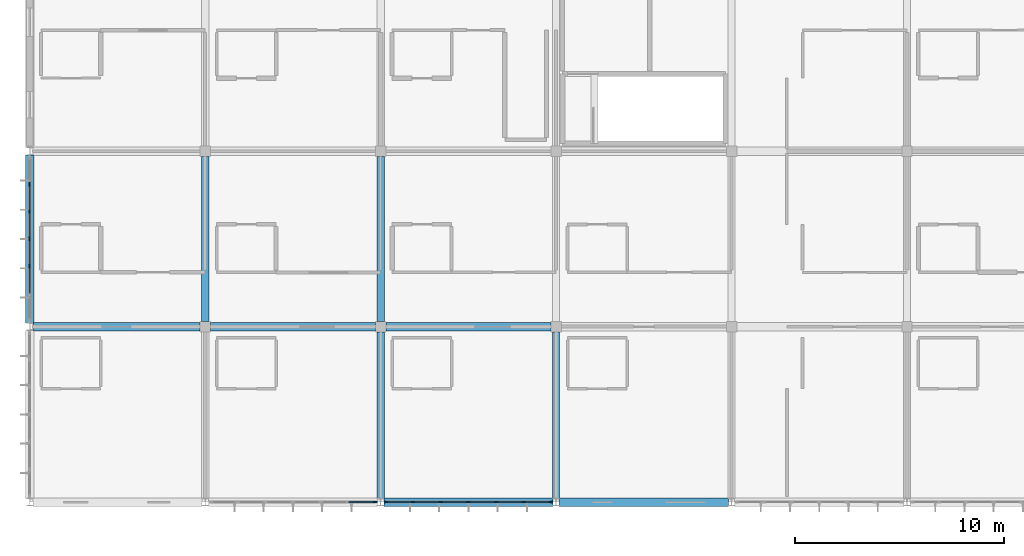
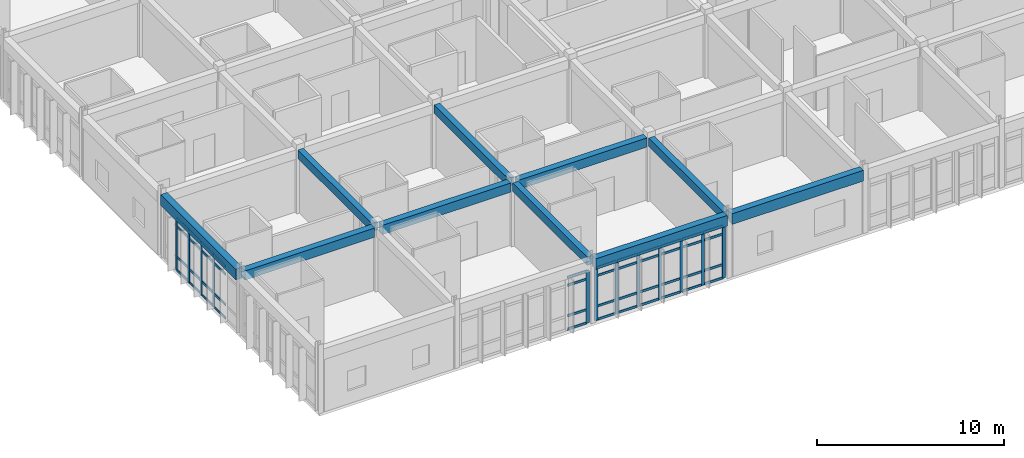
# One storey, part 10 of 144: 56 members, 10 beams, 3 elements without a shape of their own.
"""IFC4 building model written with IfcOpenShell, lengths in metres."""

from ifc_helpers import new_model, si_unit, direction, frame, origin, origin_2d, place, context, subcontext, project, spatial, rectangle, extrude, material, layer, layer_set, material_profile, profile_set, type_object, element, aggregate, save


model = new_model("IFC4")

# Units and contexts
model_context = context("Model", 3, precision=1e-05, world=origin(), true_north=direction((0.0, 1.0)))
body_context = subcontext(model_context, "Body", "Model", "MODEL_VIEW")
ifc_project = project(units=[si_unit("LENGTHUNIT", "METRE"), si_unit("AREAUNIT", "SQUARE_METRE"), si_unit("VOLUMEUNIT", "CUBIC_METRE"), si_unit("PLANEANGLEUNIT", "RADIAN"), si_unit("MASSUNIT", "GRAM", prefix="KILO")], contexts=[model_context])

# Site, building, storey
site_placement = place(None, origin())
site = spatial("IfcSite", under=ifc_project, at=site_placement, CompositionType="ELEMENT")
building_placement = place(site_placement, origin())
building = spatial("IfcBuilding", under=site, at=building_placement, Name="Bramfleet General Hospital", CompositionType="ELEMENT")
storey_placement = place(building_placement, frame((0.0, 0.0, 4.800048828125)))
storey = spatial("IfcBuildingStorey", under=building, at=storey_placement, Name="L01", CompositionType="ELEMENT", Elevation=4.800048828125)

# Beams
ifc_material_1 = material(Name="Concrete C35/45", Category="concrete")
ifc_material_profile_1 = material_profile(ifc_material_1, rectangle(XDim=0.35009765625, YDim=0.550048828125, at=origin_2d()), Name="RC BM 550x350")
ifc_profile_set_1 = profile_set([ifc_material_profile_1], Name="Concrete C35/45")
beam_type_1 = type_object("IfcBeamType", Name="BM-RC550", PredefinedType="BEAM", material=ifc_profile_set_1)
beam_1_placement = place(storey_placement, frame((8.39990234375, 8.64990234375, 3.875), z_axis=(0.0, 1.0, 0.0), x_axis=(-1.0, 0.0, 0.0)))
element("IfcBeam", 1, at=beam_1_placement, inside=storey, type_object=beam_type_1, Name="L01 Grid Beam Y 01-01", PredefinedType="BEAM", context=body_context, shape_type="SweptSolid", body=[
    extrude(rectangle(XDim=0.35009765625, YDim=0.550048828125, at=origin_2d()), origin(), (0.0, 0.0, 1.0), 7.900146484375),
])
beam_2_placement = place(storey_placement, frame((16.800048828125, 0.179931640625, 3.875), z_axis=(0.0, 1.0, 0.0), x_axis=(-1.0, 0.0, 0.0)))
element("IfcBeam", 2, at=beam_2_placement, inside=storey, type_object=beam_type_1, Name="L01 Grid Beam Y 02-00", PredefinedType="BEAM", context=body_context, shape_type="SweptSolid", body=[
    extrude(rectangle(XDim=0.35009765625, YDim=0.550048828125, at=origin_2d()), origin(), (0.0, 0.0, 1.0), 7.969970703125),
])
beam_3_placement = place(storey_placement, frame((16.800048828125, 8.64990234375, 3.875), z_axis=(0.0, 1.0, 0.0), x_axis=(-1.0, 0.0, 0.0)))
element("IfcBeam", 3, at=beam_3_placement, inside=storey, type_object=beam_type_1, Name="L01 Grid Beam Y 02-01", PredefinedType="BEAM", context=body_context, shape_type="SweptSolid", body=[
    extrude(rectangle(XDim=0.35009765625, YDim=0.550048828125, at=origin_2d()), origin(), (0.0, 0.0, 1.0), 7.900146484375),
])
beam_4_placement = place(storey_placement, frame((25.199951171875, 0.179931640625, 3.875), z_axis=(0.0, 1.0, 0.0), x_axis=(-1.0, 0.0, 0.0)))
element("IfcBeam", 4, at=beam_4_placement, inside=storey, type_object=beam_type_1, Name="L01 Grid Beam Y 03-00", PredefinedType="BEAM", context=body_context, shape_type="SweptSolid", body=[
    extrude(rectangle(XDim=0.35009765625, YDim=0.550048828125, at=origin_2d()), origin(), (0.0, 0.0, 1.0), 7.969970703125),
])
ifc_material_profile_2 = material_profile(ifc_material_1, rectangle(XDim=0.39990234375, YDim=0.60009765625, at=origin_2d()), Name="RC BM 600x400")
ifc_profile_set_2 = profile_set([ifc_material_profile_2], Name="Concrete C35/45")
beam_type_2 = type_object("IfcBeamType", Name="BM-RC600", PredefinedType="BEAM", material=ifc_profile_set_2)
beam_5_placement = place(storey_placement, frame((0.14990234375, 8.39990234375, 3.849853515625), z_axis=(1.0, 0.0, 0.0), x_axis=(0.0, 1.0, 0.0)))
element("IfcBeam", 5, at=beam_5_placement, inside=storey, type_object=beam_type_2, Name="L01 Grid Beam X 00-01", PredefinedType="BEAM", context=body_context, shape_type="SweptSolid", body=[
    extrude(rectangle(XDim=0.39990234375, YDim=0.60009765625, at=origin_2d()), origin(), (0.0, 0.0, 1.0), 8.0),
])
beam_6_placement = place(storey_placement, frame((8.64990234375, 8.39990234375, 3.849853515625), z_axis=(1.0, 0.0, 0.0), x_axis=(0.0, 1.0, 0.0)))
element("IfcBeam", 6, at=beam_6_placement, inside=storey, type_object=beam_type_2, Name="L01 Grid Beam X 01-01", PredefinedType="BEAM", context=body_context, shape_type="SweptSolid", body=[
    extrude(rectangle(XDim=0.39990234375, YDim=0.60009765625, at=origin_2d()), origin(), (0.0, 0.0, 1.0), 7.900146484375),
])
beam_7_placement = place(storey_placement, frame((17.050048828125, 8.39990234375, 3.849853515625), z_axis=(1.0, 0.0, 0.0), x_axis=(0.0, 1.0, 0.0)))
element("IfcBeam", 7, at=beam_7_placement, inside=storey, type_object=beam_type_2, Name="L01 Grid Beam X 02-01", PredefinedType="BEAM", context=body_context, shape_type="SweptSolid", body=[
    extrude(rectangle(XDim=0.39990234375, YDim=0.60009765625, at=origin_2d()), origin(), (0.0, 0.0, 1.0), 7.89990234375),
])
ifc_material_profile_3 = material_profile(ifc_material_1, rectangle(XDim=0.39990234375, YDim=0.699951171875, at=origin_2d()), Name="RC SP 700x400")
ifc_profile_set_3 = profile_set([ifc_material_profile_3], Name="Concrete C35/45")
beam_type_3 = type_object("IfcBeamType", Name="BM-SP700", PredefinedType="SPANDREL", material=ifc_profile_set_3)
beam_8_placement = place(storey_placement, frame((16.949951171875, 0.0, 3.800048828125), z_axis=(1.0, 0.0, 0.0), x_axis=(0.0, 1.0, 0.0)))
element("IfcBeam", 8, at=beam_8_placement, inside=storey, type_object=beam_type_3, Name="L01 Grid Beam X 02-00", PredefinedType="SPANDREL", context=body_context, shape_type="SweptSolid", body=[
    extrude(rectangle(XDim=0.39990234375, YDim=0.699951171875, at=origin_2d()), origin(), (0.0, 0.0, 1.0), 8.10009765625),
])
beam_9_placement = place(storey_placement, frame((25.35009765625, 0.0, 3.800048828125), z_axis=(1.0, 0.0, 0.0), x_axis=(0.0, 1.0, 0.0)))
element("IfcBeam", 9, at=beam_9_placement, inside=storey, type_object=beam_type_3, Name="L01 Grid Beam X 03-00", PredefinedType="SPANDREL", context=body_context, shape_type="SweptSolid", body=[
    extrude(rectangle(XDim=0.39990234375, YDim=0.699951171875, at=origin_2d()), origin(), (0.0, 0.0, 1.0), 8.099853515625),
])
beam_10_placement = place(storey_placement, frame((0.0, 8.580078125, 3.800048828125), z_axis=(0.0, 1.0, 0.0), x_axis=(-1.0, 0.0, 0.0)))
element("IfcBeam", 10, at=beam_10_placement, inside=storey, type_object=beam_type_3, Name="L01 Grid Beam Y 00-01", PredefinedType="SPANDREL", context=body_context, shape_type="SweptSolid", body=[
    extrude(rectangle(XDim=0.39990234375, YDim=0.699951171875, at=origin_2d()), origin(), (0.0, 0.0, 1.0), 8.0400390625),
])

# Curtain wall, members
ifc_material_2 = material(Name="Anodised aluminium and low-E triple glazing", Category="aluminium")
ifc_layer_1 = layer(ifc_material_2, 0.179931640625, Name="CWT-CW-15")
ifc_layer_set_1 = layer_set([ifc_layer_1], Name="Anodised aluminium and low-E triple glazing")
curtain_wall_type_1 = type_object("IfcCurtainWallType", Name="CWT-CW-15", PredefinedType="USERDEFINED", material=ifc_layer_set_1)
curtain_wall_1_placement = place(storey_placement, origin())
curtain_wall_1 = element("IfcCurtainWall", 11, at=curtain_wall_1_placement, inside=storey, type_object=curtain_wall_type_1, Name="L01 Curtain Wall 87", ObjectType="Stick curtain wall", PredefinedType="USERDEFINED")
ifc_material_3 = material(Name="Structural timber GL28h", Category="wood")
ifc_material_profile_4 = material_profile(ifc_material_3, rectangle(XDim=0.070068359375, YDim=0.18994140625, at=origin_2d()), Name="LARCH 190x70")
ifc_profile_set_4 = profile_set([ifc_material_profile_4], Name="Structural timber GL28h")
member_type_1 = type_object("IfcMemberType", Name="CWM-LARCH450", PredefinedType="MULLION", material=ifc_profile_set_4)
member_1_placement = place(storey_placement, frame((24.93994140625, 0.0, 0.0), z_axis=(0.0, 0.0, 1.0), x_axis=(0.0, -1.0, 0.0)))
member_1 = element("IfcMember", 12, at=member_1_placement, type_object=member_type_1, Name="CW-15 mullion 1", PredefinedType="MULLION", context=body_context, shape_type="SweptSolid", body=[
    extrude(rectangle(XDim=0.070068359375, YDim=0.18994140625, at=origin_2d()), origin(), (0.0, 0.0, 1.0), 3.43994140625),
])
member_2_placement = place(storey_placement, frame((23.64990234375, 0.0, 0.0), z_axis=(0.0, 0.0, 1.0), x_axis=(0.0, -1.0, 0.0)))
member_2 = element("IfcMember", 13, at=member_2_placement, type_object=member_type_1, Name="CW-15 mullion 2", PredefinedType="MULLION", context=body_context, shape_type="SweptSolid", body=[
    extrude(rectangle(XDim=0.070068359375, YDim=0.18994140625, at=origin_2d()), origin(), (0.0, 0.0, 1.0), 3.43994140625),
])
member_3_placement = place(storey_placement, frame((22.324951171875, 0.0, 0.0), z_axis=(0.0, 0.0, 1.0), x_axis=(0.0, -1.0, 0.0)))
member_3 = element("IfcMember", 14, at=member_3_placement, type_object=member_type_1, Name="CW-15 mullion 3", PredefinedType="MULLION", context=body_context, shape_type="SweptSolid", body=[
    extrude(rectangle(XDim=0.070068359375, YDim=0.18994140625, at=origin_2d()), origin(), (0.0, 0.0, 1.0), 3.43994140625),
])
member_4_placement = place(storey_placement, frame((21.0, 0.0, 0.0), z_axis=(0.0, 0.0, 1.0), x_axis=(0.0, -1.0, 0.0)))
member_4 = element("IfcMember", 15, at=member_4_placement, type_object=member_type_1, Name="CW-15 mullion 4", PredefinedType="MULLION", context=body_context, shape_type="SweptSolid", body=[
    extrude(rectangle(XDim=0.070068359375, YDim=0.18994140625, at=origin_2d()), origin(), (0.0, 0.0, 1.0), 3.43994140625),
])
member_5_placement = place(storey_placement, frame((19.675048828125, 0.0, 0.0), z_axis=(0.0, 0.0, 1.0), x_axis=(0.0, -1.0, 0.0)))
member_5 = element("IfcMember", 16, at=member_5_placement, type_object=member_type_1, Name="CW-15 mullion 5", PredefinedType="MULLION", context=body_context, shape_type="SweptSolid", body=[
    extrude(rectangle(XDim=0.070068359375, YDim=0.18994140625, at=origin_2d()), origin(), (0.0, 0.0, 1.0), 3.43994140625),
])
member_6_placement = place(storey_placement, frame((18.35009765625, 0.0, 0.0), z_axis=(0.0, 0.0, 1.0), x_axis=(0.0, -1.0, 0.0)))
member_6 = element("IfcMember", 17, at=member_6_placement, type_object=member_type_1, Name="CW-15 mullion 6", PredefinedType="MULLION", context=body_context, shape_type="SweptSolid", body=[
    extrude(rectangle(XDim=0.070068359375, YDim=0.18994140625, at=origin_2d()), origin(), (0.0, 0.0, 1.0), 3.43994140625),
])
member_7_placement = place(storey_placement, frame((17.06005859375, 0.0, 0.0), z_axis=(0.0, 0.0, 1.0), x_axis=(0.0, -1.0, 0.0)))
member_7 = element("IfcMember", 18, at=member_7_placement, type_object=member_type_1, Name="CW-15 mullion 7", PredefinedType="MULLION", context=body_context, shape_type="SweptSolid", body=[
    extrude(rectangle(XDim=0.070068359375, YDim=0.18994140625, at=origin_2d()), origin(), (0.0, 0.0, 1.0), 3.43994140625),
])

# Curtain wall, member
ifc_layer_2 = layer(ifc_material_2, 0.179931640625, Name="CWT-CW-16")
ifc_layer_set_2 = layer_set([ifc_layer_2], Name="Anodised aluminium and low-E triple glazing")
curtain_wall_type_2 = type_object("IfcCurtainWallType", Name="CWT-CW-16", PredefinedType="USERDEFINED", material=ifc_layer_set_2)
curtain_wall_2_placement = place(storey_placement, origin())
curtain_wall_2 = element("IfcCurtainWall", 19, at=curtain_wall_2_placement, inside=storey, type_object=curtain_wall_type_2, Name="L01 Curtain Wall 88", ObjectType="Stick curtain wall", PredefinedType="USERDEFINED")
member_8_placement = place(storey_placement, frame((16.5400390625, 0.0, 0.0), z_axis=(0.0, 0.0, 1.0), x_axis=(0.0, -1.0, 0.0)))
member_8 = element("IfcMember", 20, at=member_8_placement, type_object=member_type_1, Name="CW-16 mullion 1", PredefinedType="MULLION", context=body_context, shape_type="SweptSolid", body=[
    extrude(rectangle(XDim=0.070068359375, YDim=0.18994140625, at=origin_2d()), origin(), (0.0, 0.0, 1.0), 3.43994140625),
])

# Curtain wall, members
ifc_layer_3 = layer(ifc_material_2, 0.179931640625, Name="CWT-CW-18")
ifc_layer_set_3 = layer_set([ifc_layer_3], Name="Anodised aluminium and low-E triple glazing")
curtain_wall_type_3 = type_object("IfcCurtainWallType", Name="CWT-CW-18", PredefinedType="USERDEFINED", material=ifc_layer_set_3)
curtain_wall_3_placement = place(storey_placement, origin())
curtain_wall_3 = element("IfcCurtainWall", 21, at=curtain_wall_3_placement, inside=storey, type_object=curtain_wall_type_3, Name="L01 Curtain Wall 90", ObjectType="Stick curtain wall", PredefinedType="USERDEFINED")
member_9_placement = place(storey_placement, frame((0.0, 11.284912109375, 0.0), z_axis=(0.0, 0.0, 1.0), x_axis=(-1.0, 0.0, 0.0)))
member_9 = element("IfcMember", 22, at=member_9_placement, type_object=member_type_1, Name="CW-18 mullion 3", PredefinedType="MULLION", context=body_context, shape_type="SweptSolid", body=[
    extrude(rectangle(XDim=0.070068359375, YDim=0.18994140625, at=origin_2d()), origin(), (0.0, 0.0, 1.0), 3.43994140625),
])
member_10_placement = place(storey_placement, frame((0.0, 12.60009765625, 0.0), z_axis=(0.0, 0.0, 1.0), x_axis=(-1.0, 0.0, 0.0)))
member_10 = element("IfcMember", 23, at=member_10_placement, type_object=member_type_1, Name="CW-18 mullion 4", PredefinedType="MULLION", context=body_context, shape_type="SweptSolid", body=[
    extrude(rectangle(XDim=0.070068359375, YDim=0.18994140625, at=origin_2d()), origin(), (0.0, 0.0, 1.0), 3.43994140625),
])
member_11_placement = place(storey_placement, frame((0.0, 13.9150390625, 0.0), z_axis=(0.0, 0.0, 1.0), x_axis=(-1.0, 0.0, 0.0)))
member_11 = element("IfcMember", 24, at=member_11_placement, type_object=member_type_1, Name="CW-18 mullion 5", PredefinedType="MULLION", context=body_context, shape_type="SweptSolid", body=[
    extrude(rectangle(XDim=0.070068359375, YDim=0.18994140625, at=origin_2d()), origin(), (0.0, 0.0, 1.0), 3.43994140625),
])
member_12_placement = place(storey_placement, frame((0.0, 15.22998046875, 0.0), z_axis=(0.0, 0.0, 1.0), x_axis=(-1.0, 0.0, 0.0)))
member_12 = element("IfcMember", 25, at=member_12_placement, type_object=member_type_1, Name="CW-18 mullion 6", PredefinedType="MULLION", context=body_context, shape_type="SweptSolid", body=[
    extrude(rectangle(XDim=0.070068359375, YDim=0.18994140625, at=origin_2d()), origin(), (0.0, 0.0, 1.0), 3.43994140625),
])

# Member
ifc_material_profile_5 = material_profile(ifc_material_3, rectangle(XDim=0.06494140625, YDim=0.14990234375, at=origin_2d()), Name="LARCH 150x65")
ifc_profile_set_5 = profile_set([ifc_material_profile_5], Name="Structural timber GL28h")
member_type_2 = type_object("IfcMemberType", Name="CWT-LARCH220", PredefinedType="USERDEFINED", material=ifc_profile_set_5)
member_13_placement = place(storey_placement, frame((24.905029296875, 0.0, 0.032470703125), z_axis=(-1.0, 0.0, 0.0), x_axis=(0.0, -1.0, 0.0)))
member_13 = element("IfcMember", 26, at=member_13_placement, type_object=member_type_2, Name="CW-15 transom 1.1", ObjectType="TRANSOM", PredefinedType="USERDEFINED", context=body_context, shape_type="SweptSolid", body=[
    extrude(rectangle(XDim=0.06494140625, YDim=0.14990234375, at=origin_2d()), origin(), (0.0, 0.0, 1.0), 1.219970703125),
])

member_14_placement = place(storey_placement, frame((24.905029296875, 0.0, 0.89990234375), z_axis=(-1.0, 0.0, 0.0), x_axis=(0.0, -1.0, 0.0)))
member_14 = element("IfcMember", 27, at=member_14_placement, type_object=member_type_2, Name="CW-15 transom 1.2", ObjectType="TRANSOM", PredefinedType="USERDEFINED", context=body_context, shape_type="SweptSolid", body=[
    extrude(rectangle(XDim=0.06494140625, YDim=0.14990234375, at=origin_2d()), origin(), (0.0, 0.0, 1.0), 1.219970703125),
])

member_15_placement = place(storey_placement, frame((24.905029296875, 0.0, 2.889892578125), z_axis=(-1.0, 0.0, 0.0), x_axis=(0.0, -1.0, 0.0)))
member_15 = element("IfcMember", 28, at=member_15_placement, type_object=member_type_2, Name="CW-15 transom 1.3", ObjectType="TRANSOM", PredefinedType="USERDEFINED", context=body_context, shape_type="SweptSolid", body=[
    extrude(rectangle(XDim=0.06494140625, YDim=0.14990234375, at=origin_2d()), origin(), (0.0, 0.0, 1.0), 1.219970703125),
])

member_16_placement = place(storey_placement, frame((24.905029296875, 0.0, 3.407470703125), z_axis=(-1.0, 0.0, 0.0), x_axis=(0.0, -1.0, 0.0)))
member_16 = element("IfcMember", 29, at=member_16_placement, type_object=member_type_2, Name="CW-15 transom 1.4", ObjectType="TRANSOM", PredefinedType="USERDEFINED", context=body_context, shape_type="SweptSolid", body=[
    extrude(rectangle(XDim=0.06494140625, YDim=0.14990234375, at=origin_2d()), origin(), (0.0, 0.0, 1.0), 1.219970703125),
])

member_17_placement = place(storey_placement, frame((23.614990234375, 0.0, 0.032470703125), z_axis=(-1.0, 0.0, 0.0), x_axis=(0.0, -1.0, 0.0)))
member_17 = element("IfcMember", 30, at=member_17_placement, type_object=member_type_2, Name="CW-15 transom 2.1", ObjectType="TRANSOM", PredefinedType="USERDEFINED", context=body_context, shape_type="SweptSolid", body=[
    extrude(rectangle(XDim=0.06494140625, YDim=0.14990234375, at=origin_2d()), origin(), (0.0, 0.0, 1.0), 1.2548828125),
])

member_18_placement = place(storey_placement, frame((23.614990234375, 0.0, 0.89990234375), z_axis=(-1.0, 0.0, 0.0), x_axis=(0.0, -1.0, 0.0)))
member_18 = element("IfcMember", 31, at=member_18_placement, type_object=member_type_2, Name="CW-15 transom 2.2", ObjectType="TRANSOM", PredefinedType="USERDEFINED", context=body_context, shape_type="SweptSolid", body=[
    extrude(rectangle(XDim=0.06494140625, YDim=0.14990234375, at=origin_2d()), origin(), (0.0, 0.0, 1.0), 1.2548828125),
])

member_19_placement = place(storey_placement, frame((23.614990234375, 0.0, 2.889892578125), z_axis=(-1.0, 0.0, 0.0), x_axis=(0.0, -1.0, 0.0)))
member_19 = element("IfcMember", 32, at=member_19_placement, type_object=member_type_2, Name="CW-15 transom 2.3", ObjectType="TRANSOM", PredefinedType="USERDEFINED", context=body_context, shape_type="SweptSolid", body=[
    extrude(rectangle(XDim=0.06494140625, YDim=0.14990234375, at=origin_2d()), origin(), (0.0, 0.0, 1.0), 1.2548828125),
])

member_20_placement = place(storey_placement, frame((23.614990234375, 0.0, 3.407470703125), z_axis=(-1.0, 0.0, 0.0), x_axis=(0.0, -1.0, 0.0)))
member_20 = element("IfcMember", 33, at=member_20_placement, type_object=member_type_2, Name="CW-15 transom 2.4", ObjectType="TRANSOM", PredefinedType="USERDEFINED", context=body_context, shape_type="SweptSolid", body=[
    extrude(rectangle(XDim=0.06494140625, YDim=0.14990234375, at=origin_2d()), origin(), (0.0, 0.0, 1.0), 1.2548828125),
])

member_21_placement = place(storey_placement, frame((22.2900390625, 0.0, 0.032470703125), z_axis=(-1.0, 0.0, 0.0), x_axis=(0.0, -1.0, 0.0)))
member_21 = element("IfcMember", 34, at=member_21_placement, type_object=member_type_2, Name="CW-15 transom 3.1", ObjectType="TRANSOM", PredefinedType="USERDEFINED", context=body_context, shape_type="SweptSolid", body=[
    extrude(rectangle(XDim=0.06494140625, YDim=0.14990234375, at=origin_2d()), origin(), (0.0, 0.0, 1.0), 1.255126953125),
])

member_22_placement = place(storey_placement, frame((22.2900390625, 0.0, 0.89990234375), z_axis=(-1.0, 0.0, 0.0), x_axis=(0.0, -1.0, 0.0)))
member_22 = element("IfcMember", 35, at=member_22_placement, type_object=member_type_2, Name="CW-15 transom 3.2", ObjectType="TRANSOM", PredefinedType="USERDEFINED", context=body_context, shape_type="SweptSolid", body=[
    extrude(rectangle(XDim=0.06494140625, YDim=0.14990234375, at=origin_2d()), origin(), (0.0, 0.0, 1.0), 1.255126953125),
])

member_23_placement = place(storey_placement, frame((22.2900390625, 0.0, 2.889892578125), z_axis=(-1.0, 0.0, 0.0), x_axis=(0.0, -1.0, 0.0)))
member_23 = element("IfcMember", 36, at=member_23_placement, type_object=member_type_2, Name="CW-15 transom 3.3", ObjectType="TRANSOM", PredefinedType="USERDEFINED", context=body_context, shape_type="SweptSolid", body=[
    extrude(rectangle(XDim=0.06494140625, YDim=0.14990234375, at=origin_2d()), origin(), (0.0, 0.0, 1.0), 1.255126953125),
])

member_24_placement = place(storey_placement, frame((22.2900390625, 0.0, 3.407470703125), z_axis=(-1.0, 0.0, 0.0), x_axis=(0.0, -1.0, 0.0)))
member_24 = element("IfcMember", 37, at=member_24_placement, type_object=member_type_2, Name="CW-15 transom 3.4", ObjectType="TRANSOM", PredefinedType="USERDEFINED", context=body_context, shape_type="SweptSolid", body=[
    extrude(rectangle(XDim=0.06494140625, YDim=0.14990234375, at=origin_2d()), origin(), (0.0, 0.0, 1.0), 1.255126953125),
])

member_25_placement = place(storey_placement, frame((20.965087890625, 0.0, 0.032470703125), z_axis=(-1.0, 0.0, 0.0), x_axis=(0.0, -1.0, 0.0)))
member_25 = element("IfcMember", 38, at=member_25_placement, type_object=member_type_2, Name="CW-15 transom 4.1", ObjectType="TRANSOM", PredefinedType="USERDEFINED", context=body_context, shape_type="SweptSolid", body=[
    extrude(rectangle(XDim=0.06494140625, YDim=0.14990234375, at=origin_2d()), origin(), (0.0, 0.0, 1.0), 1.255126953125),
])

member_26_placement = place(storey_placement, frame((20.965087890625, 0.0, 0.89990234375), z_axis=(-1.0, 0.0, 0.0), x_axis=(0.0, -1.0, 0.0)))
member_26 = element("IfcMember", 39, at=member_26_placement, type_object=member_type_2, Name="CW-15 transom 4.2", ObjectType="TRANSOM", PredefinedType="USERDEFINED", context=body_context, shape_type="SweptSolid", body=[
    extrude(rectangle(XDim=0.06494140625, YDim=0.14990234375, at=origin_2d()), origin(), (0.0, 0.0, 1.0), 1.255126953125),
])

member_27_placement = place(storey_placement, frame((20.965087890625, 0.0, 2.889892578125), z_axis=(-1.0, 0.0, 0.0), x_axis=(0.0, -1.0, 0.0)))
member_27 = element("IfcMember", 40, at=member_27_placement, type_object=member_type_2, Name="CW-15 transom 4.3", ObjectType="TRANSOM", PredefinedType="USERDEFINED", context=body_context, shape_type="SweptSolid", body=[
    extrude(rectangle(XDim=0.06494140625, YDim=0.14990234375, at=origin_2d()), origin(), (0.0, 0.0, 1.0), 1.255126953125),
])

member_28_placement = place(storey_placement, frame((20.965087890625, 0.0, 3.407470703125), z_axis=(-1.0, 0.0, 0.0), x_axis=(0.0, -1.0, 0.0)))
member_28 = element("IfcMember", 41, at=member_28_placement, type_object=member_type_2, Name="CW-15 transom 4.4", ObjectType="TRANSOM", PredefinedType="USERDEFINED", context=body_context, shape_type="SweptSolid", body=[
    extrude(rectangle(XDim=0.06494140625, YDim=0.14990234375, at=origin_2d()), origin(), (0.0, 0.0, 1.0), 1.255126953125),
])

member_29_placement = place(storey_placement, frame((19.639892578125, 0.0, 0.032470703125), z_axis=(-1.0, 0.0, 0.0), x_axis=(0.0, -1.0, 0.0)))
member_29 = element("IfcMember", 42, at=member_29_placement, type_object=member_type_2, Name="CW-15 transom 5.1", ObjectType="TRANSOM", PredefinedType="USERDEFINED", context=body_context, shape_type="SweptSolid", body=[
    extrude(rectangle(XDim=0.06494140625, YDim=0.14990234375, at=origin_2d()), origin(), (0.0, 0.0, 1.0), 1.2548828125),
])

member_30_placement = place(storey_placement, frame((19.639892578125, 0.0, 0.89990234375), z_axis=(-1.0, 0.0, 0.0), x_axis=(0.0, -1.0, 0.0)))
member_30 = element("IfcMember", 43, at=member_30_placement, type_object=member_type_2, Name="CW-15 transom 5.2", ObjectType="TRANSOM", PredefinedType="USERDEFINED", context=body_context, shape_type="SweptSolid", body=[
    extrude(rectangle(XDim=0.06494140625, YDim=0.14990234375, at=origin_2d()), origin(), (0.0, 0.0, 1.0), 1.2548828125),
])

member_31_placement = place(storey_placement, frame((19.639892578125, 0.0, 2.889892578125), z_axis=(-1.0, 0.0, 0.0), x_axis=(0.0, -1.0, 0.0)))
member_31 = element("IfcMember", 44, at=member_31_placement, type_object=member_type_2, Name="CW-15 transom 5.3", ObjectType="TRANSOM", PredefinedType="USERDEFINED", context=body_context, shape_type="SweptSolid", body=[
    extrude(rectangle(XDim=0.06494140625, YDim=0.14990234375, at=origin_2d()), origin(), (0.0, 0.0, 1.0), 1.2548828125),
])

member_32_placement = place(storey_placement, frame((19.639892578125, 0.0, 3.407470703125), z_axis=(-1.0, 0.0, 0.0), x_axis=(0.0, -1.0, 0.0)))
member_32 = element("IfcMember", 45, at=member_32_placement, type_object=member_type_2, Name="CW-15 transom 5.4", ObjectType="TRANSOM", PredefinedType="USERDEFINED", context=body_context, shape_type="SweptSolid", body=[
    extrude(rectangle(XDim=0.06494140625, YDim=0.14990234375, at=origin_2d()), origin(), (0.0, 0.0, 1.0), 1.2548828125),
])

member_33_placement = place(storey_placement, frame((18.31494140625, 0.0, 0.032470703125), z_axis=(-1.0, 0.0, 0.0), x_axis=(0.0, -1.0, 0.0)))
member_33 = element("IfcMember", 46, at=member_33_placement, type_object=member_type_2, Name="CW-15 transom 6.1", ObjectType="TRANSOM", PredefinedType="USERDEFINED", context=body_context, shape_type="SweptSolid", body=[
    extrude(rectangle(XDim=0.06494140625, YDim=0.14990234375, at=origin_2d()), origin(), (0.0, 0.0, 1.0), 1.219970703125),
])

member_34_placement = place(storey_placement, frame((18.31494140625, 0.0, 0.89990234375), z_axis=(-1.0, 0.0, 0.0), x_axis=(0.0, -1.0, 0.0)))
member_34 = element("IfcMember", 47, at=member_34_placement, type_object=member_type_2, Name="CW-15 transom 6.2", ObjectType="TRANSOM", PredefinedType="USERDEFINED", context=body_context, shape_type="SweptSolid", body=[
    extrude(rectangle(XDim=0.06494140625, YDim=0.14990234375, at=origin_2d()), origin(), (0.0, 0.0, 1.0), 1.219970703125),
])

member_35_placement = place(storey_placement, frame((18.31494140625, 0.0, 2.889892578125), z_axis=(-1.0, 0.0, 0.0), x_axis=(0.0, -1.0, 0.0)))
member_35 = element("IfcMember", 48, at=member_35_placement, type_object=member_type_2, Name="CW-15 transom 6.3", ObjectType="TRANSOM", PredefinedType="USERDEFINED", context=body_context, shape_type="SweptSolid", body=[
    extrude(rectangle(XDim=0.06494140625, YDim=0.14990234375, at=origin_2d()), origin(), (0.0, 0.0, 1.0), 1.219970703125),
])

member_36_placement = place(storey_placement, frame((18.31494140625, 0.0, 3.407470703125), z_axis=(-1.0, 0.0, 0.0), x_axis=(0.0, -1.0, 0.0)))
member_36 = element("IfcMember", 49, at=member_36_placement, type_object=member_type_2, Name="CW-15 transom 6.4", ObjectType="TRANSOM", PredefinedType="USERDEFINED", context=body_context, shape_type="SweptSolid", body=[
    extrude(rectangle(XDim=0.06494140625, YDim=0.14990234375, at=origin_2d()), origin(), (0.0, 0.0, 1.0), 1.219970703125),
])

aggregate(curtain_wall_1, [member_1, member_2, member_3, member_4, member_5, member_6, member_7, member_13, member_14, member_15, member_16, member_17, member_18, member_19, member_20, member_21, member_22, member_23, member_24, member_25, member_26, member_27, member_28, member_29, member_30, member_31, member_32, member_33, member_34, member_35, member_36])

member_37_placement = place(storey_placement, frame((16.5048828125, 0.0, 0.032470703125), z_axis=(-1.0, 0.0, 0.0), x_axis=(0.0, -1.0, 0.0)))
member_37 = element("IfcMember", 50, at=member_37_placement, type_object=member_type_2, Name="CW-16 transom 1.1", ObjectType="TRANSOM", PredefinedType="USERDEFINED", context=body_context, shape_type="SweptSolid", body=[
    extrude(rectangle(XDim=0.06494140625, YDim=0.14990234375, at=origin_2d()), origin(), (0.0, 0.0, 1.0), 1.219970703125),
])

member_38_placement = place(storey_placement, frame((16.5048828125, 0.0, 0.89990234375), z_axis=(-1.0, 0.0, 0.0), x_axis=(0.0, -1.0, 0.0)))
member_38 = element("IfcMember", 51, at=member_38_placement, type_object=member_type_2, Name="CW-16 transom 1.2", ObjectType="TRANSOM", PredefinedType="USERDEFINED", context=body_context, shape_type="SweptSolid", body=[
    extrude(rectangle(XDim=0.06494140625, YDim=0.14990234375, at=origin_2d()), origin(), (0.0, 0.0, 1.0), 1.219970703125),
])

member_39_placement = place(storey_placement, frame((16.5048828125, 0.0, 2.889892578125), z_axis=(-1.0, 0.0, 0.0), x_axis=(0.0, -1.0, 0.0)))
member_39 = element("IfcMember", 52, at=member_39_placement, type_object=member_type_2, Name="CW-16 transom 1.3", ObjectType="TRANSOM", PredefinedType="USERDEFINED", context=body_context, shape_type="SweptSolid", body=[
    extrude(rectangle(XDim=0.06494140625, YDim=0.14990234375, at=origin_2d()), origin(), (0.0, 0.0, 1.0), 1.219970703125),
])

member_40_placement = place(storey_placement, frame((16.5048828125, 0.0, 3.407470703125), z_axis=(-1.0, 0.0, 0.0), x_axis=(0.0, -1.0, 0.0)))
member_40 = element("IfcMember", 53, at=member_40_placement, type_object=member_type_2, Name="CW-16 transom 1.4", ObjectType="TRANSOM", PredefinedType="USERDEFINED", context=body_context, shape_type="SweptSolid", body=[
    extrude(rectangle(XDim=0.06494140625, YDim=0.14990234375, at=origin_2d()), origin(), (0.0, 0.0, 1.0), 1.219970703125),
])

aggregate(curtain_wall_2, [member_8, member_37, member_38, member_39, member_40])

member_41_placement = place(storey_placement, frame((0.0, 10.0048828125, 0.032470703125), z_axis=(0.0, 1.0, 0.0), x_axis=(-1.0, 0.0, 0.0)))
member_41 = element("IfcMember", 54, at=member_41_placement, type_object=member_type_2, Name="CW-18 transom 2.1", ObjectType="TRANSOM", PredefinedType="USERDEFINED", context=body_context, shape_type="SweptSolid", body=[
    extrude(rectangle(XDim=0.06494140625, YDim=0.14990234375, at=origin_2d()), origin(), (0.0, 0.0, 1.0), 1.2451171875),
])

member_42_placement = place(storey_placement, frame((0.0, 10.0048828125, 0.89990234375), z_axis=(0.0, 1.0, 0.0), x_axis=(-1.0, 0.0, 0.0)))
member_42 = element("IfcMember", 55, at=member_42_placement, type_object=member_type_2, Name="CW-18 transom 2.2", ObjectType="TRANSOM", PredefinedType="USERDEFINED", context=body_context, shape_type="SweptSolid", body=[
    extrude(rectangle(XDim=0.06494140625, YDim=0.14990234375, at=origin_2d()), origin(), (0.0, 0.0, 1.0), 1.2451171875),
])

member_43_placement = place(storey_placement, frame((0.0, 10.0048828125, 2.889892578125), z_axis=(0.0, 1.0, 0.0), x_axis=(-1.0, 0.0, 0.0)))
member_43 = element("IfcMember", 56, at=member_43_placement, type_object=member_type_2, Name="CW-18 transom 2.3", ObjectType="TRANSOM", PredefinedType="USERDEFINED", context=body_context, shape_type="SweptSolid", body=[
    extrude(rectangle(XDim=0.06494140625, YDim=0.14990234375, at=origin_2d()), origin(), (0.0, 0.0, 1.0), 1.2451171875),
])

member_44_placement = place(storey_placement, frame((0.0, 10.0048828125, 3.407470703125), z_axis=(0.0, 1.0, 0.0), x_axis=(-1.0, 0.0, 0.0)))
member_44 = element("IfcMember", 57, at=member_44_placement, type_object=member_type_2, Name="CW-18 transom 2.4", ObjectType="TRANSOM", PredefinedType="USERDEFINED", context=body_context, shape_type="SweptSolid", body=[
    extrude(rectangle(XDim=0.06494140625, YDim=0.14990234375, at=origin_2d()), origin(), (0.0, 0.0, 1.0), 1.2451171875),
])

member_45_placement = place(storey_placement, frame((0.0, 11.320068359375, 0.032470703125), z_axis=(0.0, 1.0, 0.0), x_axis=(-1.0, 0.0, 0.0)))
member_45 = element("IfcMember", 58, at=member_45_placement, type_object=member_type_2, Name="CW-18 transom 3.1", ObjectType="TRANSOM", PredefinedType="USERDEFINED", context=body_context, shape_type="SweptSolid", body=[
    extrude(rectangle(XDim=0.06494140625, YDim=0.14990234375, at=origin_2d()), origin(), (0.0, 0.0, 1.0), 1.244873046875),
])

member_46_placement = place(storey_placement, frame((0.0, 11.320068359375, 0.89990234375), z_axis=(0.0, 1.0, 0.0), x_axis=(-1.0, 0.0, 0.0)))
member_46 = element("IfcMember", 59, at=member_46_placement, type_object=member_type_2, Name="CW-18 transom 3.2", ObjectType="TRANSOM", PredefinedType="USERDEFINED", context=body_context, shape_type="SweptSolid", body=[
    extrude(rectangle(XDim=0.06494140625, YDim=0.14990234375, at=origin_2d()), origin(), (0.0, 0.0, 1.0), 1.244873046875),
])

member_47_placement = place(storey_placement, frame((0.0, 11.320068359375, 2.889892578125), z_axis=(0.0, 1.0, 0.0), x_axis=(-1.0, 0.0, 0.0)))
member_47 = element("IfcMember", 60, at=member_47_placement, type_object=member_type_2, Name="CW-18 transom 3.3", ObjectType="TRANSOM", PredefinedType="USERDEFINED", context=body_context, shape_type="SweptSolid", body=[
    extrude(rectangle(XDim=0.06494140625, YDim=0.14990234375, at=origin_2d()), origin(), (0.0, 0.0, 1.0), 1.244873046875),
])

member_48_placement = place(storey_placement, frame((0.0, 11.320068359375, 3.407470703125), z_axis=(0.0, 1.0, 0.0), x_axis=(-1.0, 0.0, 0.0)))
member_48 = element("IfcMember", 61, at=member_48_placement, type_object=member_type_2, Name="CW-18 transom 3.4", ObjectType="TRANSOM", PredefinedType="USERDEFINED", context=body_context, shape_type="SweptSolid", body=[
    extrude(rectangle(XDim=0.06494140625, YDim=0.14990234375, at=origin_2d()), origin(), (0.0, 0.0, 1.0), 1.244873046875),
])

member_49_placement = place(storey_placement, frame((0.0, 12.635009765625, 0.032470703125), z_axis=(0.0, 1.0, 0.0), x_axis=(-1.0, 0.0, 0.0)))
member_49 = element("IfcMember", 62, at=member_49_placement, type_object=member_type_2, Name="CW-18 transom 4.1", ObjectType="TRANSOM", PredefinedType="USERDEFINED", context=body_context, shape_type="SweptSolid", body=[
    extrude(rectangle(XDim=0.06494140625, YDim=0.14990234375, at=origin_2d()), origin(), (0.0, 0.0, 1.0), 1.244873046875),
])

member_50_placement = place(storey_placement, frame((0.0, 12.635009765625, 0.89990234375), z_axis=(0.0, 1.0, 0.0), x_axis=(-1.0, 0.0, 0.0)))
member_50 = element("IfcMember", 63, at=member_50_placement, type_object=member_type_2, Name="CW-18 transom 4.2", ObjectType="TRANSOM", PredefinedType="USERDEFINED", context=body_context, shape_type="SweptSolid", body=[
    extrude(rectangle(XDim=0.06494140625, YDim=0.14990234375, at=origin_2d()), origin(), (0.0, 0.0, 1.0), 1.244873046875),
])

member_51_placement = place(storey_placement, frame((0.0, 12.635009765625, 2.889892578125), z_axis=(0.0, 1.0, 0.0), x_axis=(-1.0, 0.0, 0.0)))
member_51 = element("IfcMember", 64, at=member_51_placement, type_object=member_type_2, Name="CW-18 transom 4.3", ObjectType="TRANSOM", PredefinedType="USERDEFINED", context=body_context, shape_type="SweptSolid", body=[
    extrude(rectangle(XDim=0.06494140625, YDim=0.14990234375, at=origin_2d()), origin(), (0.0, 0.0, 1.0), 1.244873046875),
])

member_52_placement = place(storey_placement, frame((0.0, 12.635009765625, 3.407470703125), z_axis=(0.0, 1.0, 0.0), x_axis=(-1.0, 0.0, 0.0)))
member_52 = element("IfcMember", 65, at=member_52_placement, type_object=member_type_2, Name="CW-18 transom 4.4", ObjectType="TRANSOM", PredefinedType="USERDEFINED", context=body_context, shape_type="SweptSolid", body=[
    extrude(rectangle(XDim=0.06494140625, YDim=0.14990234375, at=origin_2d()), origin(), (0.0, 0.0, 1.0), 1.244873046875),
])

member_53_placement = place(storey_placement, frame((0.0, 13.949951171875, 0.032470703125), z_axis=(0.0, 1.0, 0.0), x_axis=(-1.0, 0.0, 0.0)))
member_53 = element("IfcMember", 66, at=member_53_placement, type_object=member_type_2, Name="CW-18 transom 5.1", ObjectType="TRANSOM", PredefinedType="USERDEFINED", context=body_context, shape_type="SweptSolid", body=[
    extrude(rectangle(XDim=0.06494140625, YDim=0.14990234375, at=origin_2d()), origin(), (0.0, 0.0, 1.0), 1.2451171875),
])

member_54_placement = place(storey_placement, frame((0.0, 13.949951171875, 0.89990234375), z_axis=(0.0, 1.0, 0.0), x_axis=(-1.0, 0.0, 0.0)))
member_54 = element("IfcMember", 67, at=member_54_placement, type_object=member_type_2, Name="CW-18 transom 5.2", ObjectType="TRANSOM", PredefinedType="USERDEFINED", context=body_context, shape_type="SweptSolid", body=[
    extrude(rectangle(XDim=0.06494140625, YDim=0.14990234375, at=origin_2d()), origin(), (0.0, 0.0, 1.0), 1.2451171875),
])

member_55_placement = place(storey_placement, frame((0.0, 13.949951171875, 2.889892578125), z_axis=(0.0, 1.0, 0.0), x_axis=(-1.0, 0.0, 0.0)))
member_55 = element("IfcMember", 68, at=member_55_placement, type_object=member_type_2, Name="CW-18 transom 5.3", ObjectType="TRANSOM", PredefinedType="USERDEFINED", context=body_context, shape_type="SweptSolid", body=[
    extrude(rectangle(XDim=0.06494140625, YDim=0.14990234375, at=origin_2d()), origin(), (0.0, 0.0, 1.0), 1.2451171875),
])

member_56_placement = place(storey_placement, frame((0.0, 13.949951171875, 3.407470703125), z_axis=(0.0, 1.0, 0.0), x_axis=(-1.0, 0.0, 0.0)))
member_56 = element("IfcMember", 69, at=member_56_placement, type_object=member_type_2, Name="CW-18 transom 5.4", ObjectType="TRANSOM", PredefinedType="USERDEFINED", context=body_context, shape_type="SweptSolid", body=[
    extrude(rectangle(XDim=0.06494140625, YDim=0.14990234375, at=origin_2d()), origin(), (0.0, 0.0, 1.0), 1.2451171875),
])

aggregate(curtain_wall_3, [member_9, member_10, member_11, member_12, member_41, member_42, member_43, member_44, member_45, member_46, member_47, member_48, member_49, member_50, member_51, member_52, member_53, member_54, member_55, member_56])

save(model, "model.ifc")
